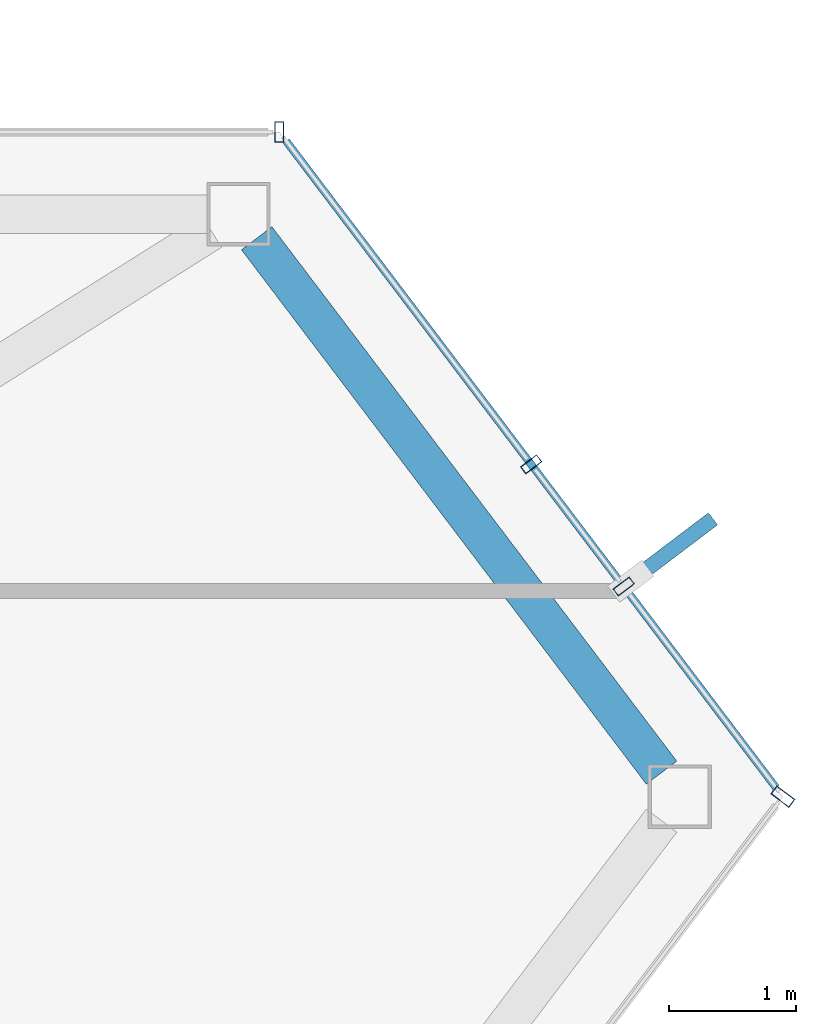
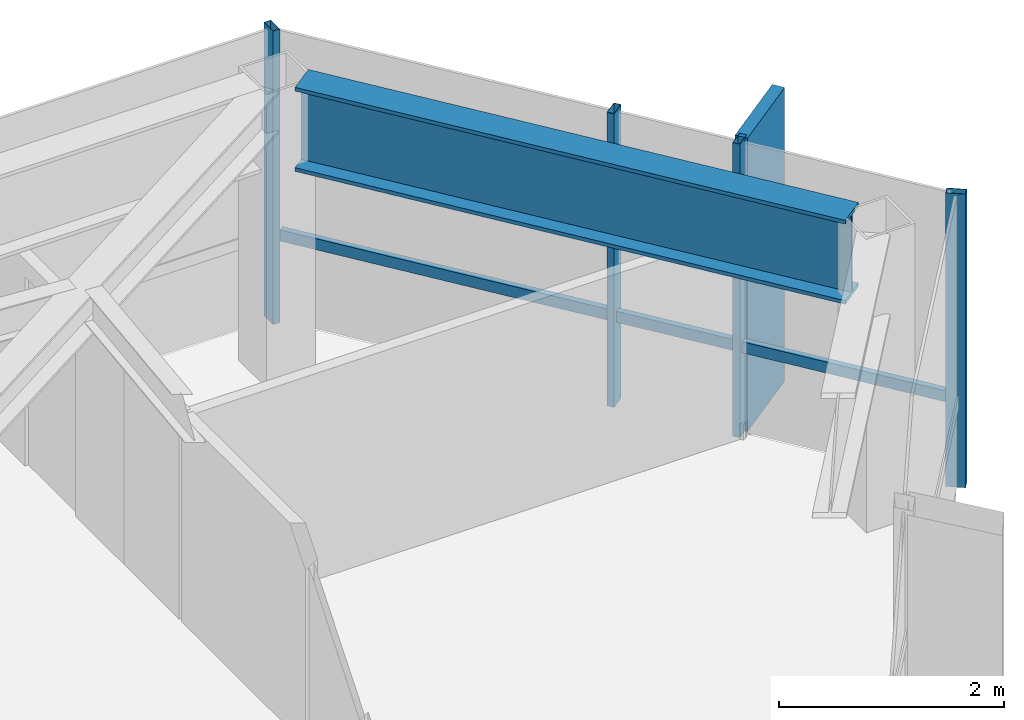
# One storey, part 19 of 25: 6 members, 1 beam, 3 elements without a shape of their own.
"""IFC4 building model written with IfcOpenShell, lengths in metres."""

import ifcopenshell
import ifcopenshell.guid

model = None  # the IFC model being written
_history = None  # IfcOwnerHistory: only IFC2X3 demands one
_inside = {}  # id of a spatial element -> (the spatial element, [elements in it])
_under = {}  # id of a project, library or spatial element -> (it, [spatial elements below it])
_declared = {}  # id of a project -> (the project, [libraries it declares])
_typed = {}  # id of a type object -> (the type object, [elements of that type])
_made_of = {}  # id of a material, layer set ... -> (it, [elements and type objects made of it])


def new_model(schema):
    """Start an empty IFC model of exactly this schema.

    Asked for "IFC4X3", IfcOpenShell would pick the latest addendum, in which some entities
    have other attributes; the version numbers below select the first issue.
    IFC2X3 requires an IfcOwnerHistory on every rooted entity: one is made here for all.
    """
    global model, _history
    if schema == "IFC4X3":
        model = ifcopenshell.file(schema_version=(4, 3, 0, 0))
    else:
        model = ifcopenshell.file(schema=schema)
    _inside.clear()
    _under.clear()
    _declared.clear()
    _typed.clear()
    _made_of.clear()
    _history = None
    if model.schema == "IFC2X3":
        org = make("IfcOrganization", Name="unknown")
        user = make(
            "IfcPersonAndOrganization",
            ThePerson=make("IfcPerson", FamilyName="unknown"),
            TheOrganization=org,
        )
        app = make(
            "IfcApplication",
            ApplicationDeveloper=org,
            Version="unknown",
            ApplicationFullName="unknown",
            ApplicationIdentifier="unknown",
        )
        _history = make(
            "IfcOwnerHistory",
            OwningUser=user,
            OwningApplication=app,
            ChangeAction="ADDED",
            CreationDate=0,
        )
    return model


def make(cls, **values):
    """One entity of the class cls with the attributes given. An attribute that is None is left unset."""
    return model.create_entity(
        cls, **{name: value for name, value in values.items() if value is not None}
    )


def rooted(cls, **values):
    """An entity with a GlobalId (a new one), such as an element, a storey or a relation."""
    return make(cls, GlobalId=ifcopenshell.guid.new(), OwnerHistory=_history, **values)


def si_unit(unit_type, name, prefix=None):
    """IfcSIUnit, for example si_unit("LENGTHUNIT", "METRE", prefix="MILLI")."""
    return make("IfcSIUnit", UnitType=unit_type, Prefix=prefix, Name=name)


def assignment(units):
    """IfcUnitAssignment: the units of a project."""
    return None if units is None else make("IfcUnitAssignment", Units=units)


def point(xyz):
    """IfcCartesianPoint."""
    return None if xyz is None else make("IfcCartesianPoint", Coordinates=xyz)


def direction(xyz):
    """IfcDirection."""
    return None if xyz is None else make("IfcDirection", DirectionRatios=xyz)


def frame(location, z_axis=None, x_axis=None):
    """IfcAxis2Placement3D, a coordinate frame: its origin and axes. An axis left out is left unset."""
    return make(
        "IfcAxis2Placement3D",
        Location=point(location),
        Axis=direction(z_axis),
        RefDirection=direction(x_axis),
    )


def frame_2d(location, x_axis=None):
    """IfcAxis2Placement2D, a coordinate frame in the plane: its origin and x axis."""
    return make(
        "IfcAxis2Placement2D", Location=point(location), RefDirection=direction(x_axis)
    )


def origin():
    """The frame at (0, 0, 0) with its axes left unset."""
    return frame((0.0, 0.0, 0.0))


def origin_2d():
    """The frame at (0, 0) in the plane with its x axis left unset."""
    return frame_2d((0.0, 0.0))


def place(relative_to, where):
    """IfcLocalPlacement: puts the frame where relative to a parent placement (None: the world)."""
    return make(
        "IfcLocalPlacement", PlacementRelTo=relative_to, RelativePlacement=where
    )


def context(
    kind, dimensions, precision=None, world=None, true_north=None, identifier=None
):
    """IfcGeometricRepresentationContext, for example the 3D "Model" context."""
    return make(
        "IfcGeometricRepresentationContext",
        ContextIdentifier=identifier,
        ContextType=kind,
        CoordinateSpaceDimension=dimensions,
        Precision=precision,
        WorldCoordinateSystem=world,
        TrueNorth=true_north,
    )


def subcontext(parent, identifier, kind, view, scale=None):
    """IfcGeometricRepresentationSubContext, for example "Body" below "Model"."""
    return make(
        "IfcGeometricRepresentationSubContext",
        ContextIdentifier=identifier,
        ContextType=kind,
        ParentContext=parent,
        TargetScale=scale,
        TargetView=view,
    )


def project(units=None, contexts=None):
    """IfcProject with its units and contexts."""
    return rooted(
        "IfcProject",
        Name="project",
        RepresentationContexts=contexts,
        UnitsInContext=assignment(units),
    )


def spatial(cls, under=None, at=None, **own):
    """A site, building, storey or space (cls), placed at a placement, below another one or the project."""
    s = rooted(cls, ObjectPlacement=at, **own)
    if under is not None:
        _under.setdefault(under.id(), (under, []))[1].append(s)
    return s


def profile(cls, at=None, kind="AREA", **sizes):
    """A parametric profile (cls). Its sizes go by their IFC names, for example OverallWidth=200.0."""
    return make(cls, ProfileType=kind, Position=at, **sizes)


def rectangle(**sizes):
    """IfcRectangleProfileDef."""
    return profile("IfcRectangleProfileDef", **sizes)


def hollow_rectangle(**sizes):
    """IfcRectangleHollowProfileDef."""
    return profile("IfcRectangleHollowProfileDef", **sizes)


def i_section(**sizes):
    """IfcIShapeProfileDef."""
    return profile("IfcIShapeProfileDef", **sizes)


def extrude(swept, where, along, depth):
    """IfcExtrudedAreaSolid: the profile swept, set in the frame where, extruded along a direction by depth."""
    return make(
        "IfcExtrudedAreaSolid",
        SweptArea=swept,
        Position=where,
        ExtrudedDirection=direction(along),
        Depth=depth,
    )


def shape(context_of_items, identifier, shape_type, items):
    """IfcShapeRepresentation: the items that make up one representation, for example the "Body"."""
    return make(
        "IfcShapeRepresentation",
        ContextOfItems=context_of_items,
        RepresentationIdentifier=identifier,
        RepresentationType=shape_type,
        Items=items,
    )


def material(Name=None, Category=None):
    """IfcMaterial."""
    return make("IfcMaterial", Name=Name, Category=Category)


def layer(
    of_material, thickness, ventilated=None, Name=None, Category=None, Priority=None
):
    """IfcMaterialLayer: one layer of a wall or slab, of a material (None: an air gap)."""
    return make(
        "IfcMaterialLayer",
        Material=of_material,
        LayerThickness=thickness,
        IsVentilated=ventilated,
        Name=Name,
        Category=Category,
        Priority=Priority,
    )


def layer_set(layers, Name=None):
    """IfcMaterialLayerSet."""
    return make("IfcMaterialLayerSet", MaterialLayers=layers, LayerSetName=Name)


def material_profile(
    of_material, cross_section, Name=None, Category=None, Priority=None
):
    """IfcMaterialProfile: a cross section and its material."""
    return make(
        "IfcMaterialProfile",
        Name=Name,
        Material=of_material,
        Profile=cross_section,
        Priority=Priority,
        Category=Category,
    )


def profile_set(profiles, Name=None, composite=None):
    """IfcMaterialProfileSet."""
    return make(
        "IfcMaterialProfileSet",
        Name=Name,
        MaterialProfiles=profiles,
        CompositeProfile=composite,
    )


def made_of(thing, what):
    """Note that an element or type object is made of a material, layer set ...; save() writes the relation."""
    if what is not None:
        _made_of.setdefault(what.id(), (what, []))[1].append(thing)
    return thing


def type_object(cls, material=None, **own):
    """A type object (cls), such as IfcWallType, which elements share."""
    return made_of(rooted(cls, **own), material)


def element(
    cls,
    number,
    at=None,
    inside=None,
    cuts=None,
    type_object=None,
    material=None,
    context=None,
    identifier="Body",
    shape_type=None,
    held_by="IfcProductDefinitionShape",
    body=None,
    shapes=None,
    **own,
):
    """One element of the class cls, such as IfcWall. Its Tag is "e" and its number.

    at: its placement. inside: the storey or other place that contains it. cuts: it is an
    opening in that element (IfcRelVoidsElement). A single representation is given by context,
    identifier, shape_type and body (its items); several are given by shapes. held_by: the class
    of the entity that holds the representations. save() writes the other relations.
    """
    e = rooted(cls, Tag="e%d" % number, ObjectPlacement=at, **own)
    if body is not None:
        shapes = [shape(context, identifier, shape_type, body)]
    if shapes is not None:
        e.Representation = make(held_by, Representations=shapes)
    if inside is not None:
        _inside.setdefault(inside.id(), (inside, []))[1].append(e)
    if cuts is not None:
        rooted(
            "IfcRelVoidsElement", RelatingBuildingElement=cuts, RelatedOpeningElement=e
        )
    if type_object is not None:
        _typed.setdefault(type_object.id(), (type_object, []))[1].append(e)
    return made_of(e, material)


def aggregate(whole, parts):
    """IfcRelAggregates: a whole, such as a stair, and the parts it consists of."""
    return rooted("IfcRelAggregates", RelatingObject=whole, RelatedObjects=parts)


def save(model, path):
    """Write the relations noted so far, then the file.

    IfcRelAggregates (storeys below a building ...), IfcRelContainedInSpatialStructure (elements
    in a storey), IfcRelDefinesByType, IfcRelAssociatesMaterial and IfcRelDeclares: one each for
    every whole, place, type object, material and project.
    """
    for whole, parts in _under.values():
        aggregate(whole, parts)
    for where, things in _inside.values():
        rooted(
            "IfcRelContainedInSpatialStructure",
            RelatedElements=things,
            RelatingStructure=where,
        )
    for kind, things in _typed.values():
        rooted("IfcRelDefinesByType", RelatedObjects=things, RelatingType=kind)
    for what, things in _made_of.values():
        rooted("IfcRelAssociatesMaterial", RelatedObjects=things, RelatingMaterial=what)
    for by, libraries in _declared.values():
        rooted("IfcRelDeclares", RelatingContext=by, RelatedDefinitions=libraries)
    model.write(path)


model = new_model("IFC4")

# Units and contexts
model_context = context("Model", 3, precision=1e-05, world=origin(), true_north=direction((0.0, 1.0)))
body_context = subcontext(model_context, "Body", "Model", "MODEL_VIEW")
ifc_project = project(units=[si_unit("LENGTHUNIT", "METRE"), si_unit("AREAUNIT", "SQUARE_METRE"), si_unit("VOLUMEUNIT", "CUBIC_METRE"), si_unit("PLANEANGLEUNIT", "RADIAN"), si_unit("MASSUNIT", "GRAM", prefix="KILO")], contexts=[model_context])

# Site, building, storey
site_placement = place(None, origin())
site = spatial("IfcSite", under=ifc_project, at=site_placement, CompositionType="ELEMENT")
building_placement = place(site_placement, origin())
building = spatial("IfcBuilding", under=site, at=building_placement, Name="Zarrinselat Tower", CompositionType="ELEMENT")
storey_placement = place(building_placement, frame((0.0, 0.0, 261.800048828125)))
storey = spatial("IfcBuildingStorey", under=building, at=storey_placement, Name="L66", CompositionType="ELEMENT", Elevation=261.800048828125)

# Beam
ifc_material_1 = material(Name="Steel S460M", Category="steel")
ifc_material_profile_1 = material_profile(ifc_material_1, i_section(OverallWidth=0.302001953125, OverallDepth=0.909912109375, WebThickness=0.02099609375, FlangeThickness=0.0400390625, at=origin_2d()), Name="HEM 900")
ifc_profile_set_1 = profile_set([ifc_material_profile_1], Name="Steel S460M")
beam_type = type_object("IfcBeamType", Name="BM-HEM900", PredefinedType="BEAM", material=ifc_profile_set_1)
beam_placement = place(storey_placement, frame((57.09521484375, 47.027099609375, 2.724853515625), z_axis=(0.603878091551, -0.797076690504, 0.0), x_axis=(0.797076690504, 0.603878091551, 0.0)))
element("IfcBeam", 1, at=beam_placement, inside=storey, type_object=beam_type, Name="L66 Perimeter Spandrel Girder SP15", PredefinedType="BEAM", context=body_context, shape_type="SweptSolid", body=[
    extrude(i_section(OverallWidth=0.302001953125, OverallDepth=0.909912109375, WebThickness=0.02099609375, FlangeThickness=0.0400390625, at=origin_2d()), origin(), (0.0, 0.0, 1.0), 5.298583984375),
])

# Curtain wall, member
ifc_material_2 = material(Name="Extruded Aluminium Alloy EN AW-6063 T6", Category="aluminium")
ifc_layer_1 = layer(ifc_material_2, 0.199951171875)
ifc_layer_set_1 = layer_set([ifc_layer_1], Name="Extruded Aluminium Alloy EN AW-6063 T6")
curtain_wall_type_1 = type_object("IfcCurtainWallType", Name="CWS-BLADE", PredefinedType="NOTDEFINED", material=ifc_layer_set_1)
curtain_wall_1_placement = place(storey_placement, origin())
curtain_wall_1 = element("IfcCurtainWall", 2, at=curtain_wall_1_placement, inside=storey, type_object=curtain_wall_type_1, Name="L66 Unitised Curtain Wall CW-L66-E05", PredefinedType="NOTDEFINED")
ifc_material_3 = material(Name="Extruded Aluminium Alloy EN AW-6063 T6", Category="aluminium")
ifc_material_profile_2 = material_profile(ifc_material_3, hollow_rectangle(XDim=0.080078125, YDim=0.179931640625, WallThickness=0.0048828125, at=origin_2d()), Name="RHS 180x80x5")
ifc_profile_set_2 = profile_set([ifc_material_profile_2], Name="Extruded Aluminium Alloy EN AW-6063 T6")
member_type_1 = type_object("IfcMemberType", Name="MEM-CW-MUL", PredefinedType="MULLION", material=ifc_profile_set_2)
member_1_placement = place(storey_placement, frame((61.25390625, 42.614013671875, 0.0), z_axis=(0.0, 0.0, 1.0), x_axis=(0.603859570382, 0.7970907221, 0.0)))
member_1 = element("IfcMember", 3, at=member_1_placement, type_object=member_type_1, Name="CW-L66-E05 Mullion 10", PredefinedType="MULLION", context=body_context, shape_type="SweptSolid", body=[
    extrude(hollow_rectangle(XDim=0.080078125, YDim=0.179931640625, WallThickness=0.0048828125, at=origin_2d()), origin(), (0.0, 0.0, 1.0), 3.179931640625),
])
aggregate(curtain_wall_1, [member_1])

ifc_material_4 = material(Name="Extruded Aluminium Alloy EN AW-6063 T6", Category="aluminium")
ifc_layer_2 = layer(ifc_material_4, 0.169921875)
ifc_layer_set_2 = layer_set([ifc_layer_2], Name="Extruded Aluminium Alloy EN AW-6063 T6")
curtain_wall_type_2 = type_object("IfcCurtainWallType", Name="CWS-RES", PredefinedType="NOTDEFINED", material=ifc_layer_set_2)
curtain_wall_2_placement = place(storey_placement, origin())
curtain_wall_2 = element("IfcCurtainWall", 4, at=curtain_wall_2_placement, inside=storey, type_object=curtain_wall_type_2, Name="L66 Unitised Curtain Wall CW-L66-E01", PredefinedType="NOTDEFINED")
ifc_material_5 = material(Name="Extruded Aluminium Alloy EN AW-6063 T6", Category="aluminium")
ifc_material_profile_3 = material_profile(ifc_material_5, hollow_rectangle(XDim=0.070068359375, YDim=0.159912109375, WallThickness=0.00390625, at=origin_2d()), Name="RHS 160x70x4")
ifc_profile_set_3 = profile_set([ifc_material_profile_3], Name="Extruded Aluminium Alloy EN AW-6063 T6")
member_type_2 = type_object("IfcMemberType", Name="MEM-CW-MUL2", PredefinedType="MULLION", material=ifc_profile_set_3)
member_2_placement = place(storey_placement, frame((57.274658203125, 47.86669921875, 0.0), z_axis=(0.0, 0.0, 1.0), x_axis=(-1.0, 0.0, 0.0)))
member_2 = element("IfcMember", 5, at=member_2_placement, type_object=member_type_2, Name="CW-L66-E01 Mullion 0", PredefinedType="MULLION", context=body_context, shape_type="SweptSolid", body=[
    extrude(hollow_rectangle(XDim=0.070068359375, YDim=0.159912109375, WallThickness=0.00390625, at=origin_2d()), origin(), (0.0, 0.0, 1.0), 3.179931640625),
])
aggregate(curtain_wall_2, [member_2])

# Curtain wall, members
curtain_wall_3_placement = place(storey_placement, origin())
curtain_wall_3 = element("IfcCurtainWall", 6, at=curtain_wall_3_placement, inside=storey, type_object=curtain_wall_type_2, Name="L66 Unitised Curtain Wall CW-L66-E06", PredefinedType="NOTDEFINED")
member_3_placement = place(storey_placement, frame((59.99560546875, 44.275146484375, 0.0), z_axis=(0.0, 0.0, 1.0), x_axis=(-0.603858272322, 0.797091705482, 0.0)))
member_3 = element("IfcMember", 7, at=member_3_placement, type_object=member_type_2, Name="CW-L66-E06 Mullion 1", PredefinedType="MULLION", context=body_context, shape_type="SweptSolid", body=[
    extrude(hollow_rectangle(XDim=0.070068359375, YDim=0.159912109375, WallThickness=0.00390625, at=origin_2d()), origin(), (0.0, 0.0, 1.0), 3.179931640625),
])
member_4_placement = place(storey_placement, frame((59.264404296875, 45.240234375, 0.0), z_axis=(0.0, 0.0, 1.0), x_axis=(-0.603858272322, 0.797091705482, 0.0)))
member_4 = element("IfcMember", 8, at=member_4_placement, type_object=member_type_2, Name="CW-L66-E06 Mullion 2", PredefinedType="MULLION", context=body_context, shape_type="SweptSolid", body=[
    extrude(hollow_rectangle(XDim=0.070068359375, YDim=0.159912109375, WallThickness=0.00390625, at=origin_2d()), origin(), (0.0, 0.0, 1.0), 3.179931640625),
])
ifc_material_6 = material(Name="Extruded Aluminium Alloy EN AW-6063 T6", Category="aluminium")
ifc_material_profile_4 = material_profile(ifc_material_6, hollow_rectangle(XDim=0.06005859375, YDim=0.1201171875, WallThickness=0.00390625, at=origin_2d()), Name="RHS 120x60x4")
ifc_profile_set_4 = profile_set([ifc_material_profile_4], Name="Extruded Aluminium Alloy EN AW-6063 T6")
member_type_3 = type_object("IfcMemberType", Name="MEM-CW-TRN2", PredefinedType="USERDEFINED", material=ifc_profile_set_4)
member_5_placement = place(storey_placement, frame((61.19970703125, 42.685546875, 0.949951171875), z_axis=(-0.60386868738, 0.797083815168, 0.0), x_axis=(-0.797083815168, -0.60386868738, 0.0)))
member_5 = element("IfcMember", 9, at=member_5_placement, type_object=member_type_3, Name="CW-L66-E06 Transom 1", ObjectType="TRANSOM", PredefinedType="USERDEFINED", context=body_context, shape_type="SweptSolid", body=[
    extrude(hollow_rectangle(XDim=0.06005859375, YDim=0.1201171875, WallThickness=0.00390625, at=origin_2d()), origin(), (0.0, 0.0, 1.0), 6.41015625),
])
ifc_material_7 = material(Name="Honed Cream Travertine Stone", Category="masonry")
ifc_material_profile_5 = material_profile(ifc_material_7, rectangle(XDim=0.1201171875, YDim=0.85009765625, at=origin_2d()), Name="FIN 850x120")
ifc_profile_set_5 = profile_set([ifc_material_profile_5], Name="Honed Cream Travertine Stone")
member_type_4 = type_object("IfcMemberType", Name="MEM-STONE-FIN", PredefinedType="USERDEFINED", material=ifc_profile_set_5)
member_6_placement = place(storey_placement, frame((60.3623046875, 44.552978515625, 0.0), z_axis=(0.0, 0.0, 1.0), x_axis=(0.603858272322, -0.797091705482, 0.0)))
member_6 = element("IfcMember", 10, at=member_6_placement, type_object=member_type_4, Name="L66 Stone Shading Fin CW-L66-E06-01", ObjectType="FIN", PredefinedType="USERDEFINED", context=body_context, shape_type="SweptSolid", body=[
    extrude(rectangle(XDim=0.1201171875, YDim=0.85009765625, at=origin_2d()), origin(), (0.0, 0.0, 1.0), 3.179931640625),
])
aggregate(curtain_wall_3, [member_3, member_6, member_4, member_5])

save(model, "model.ifc")
